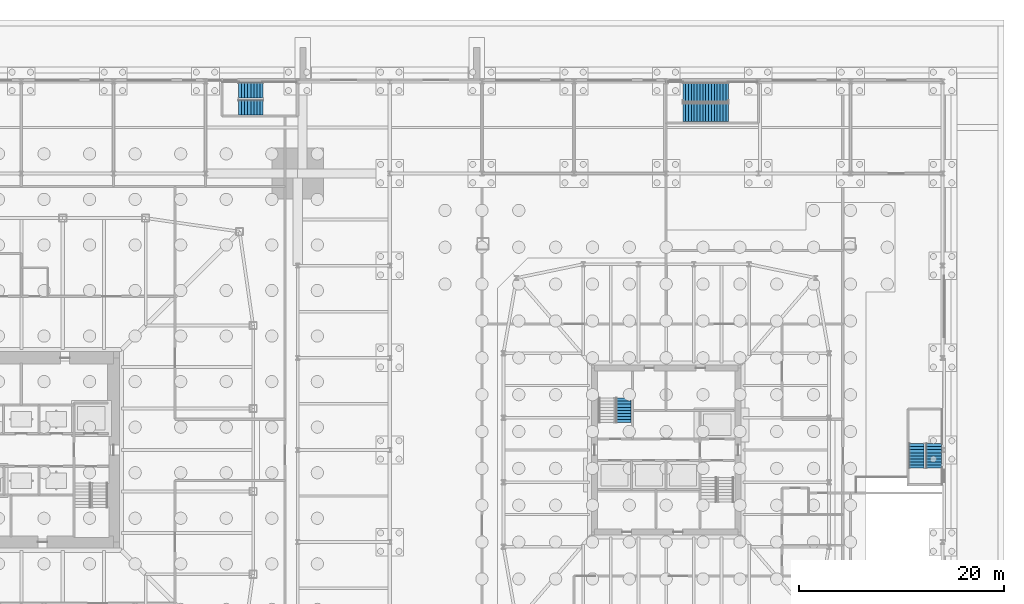
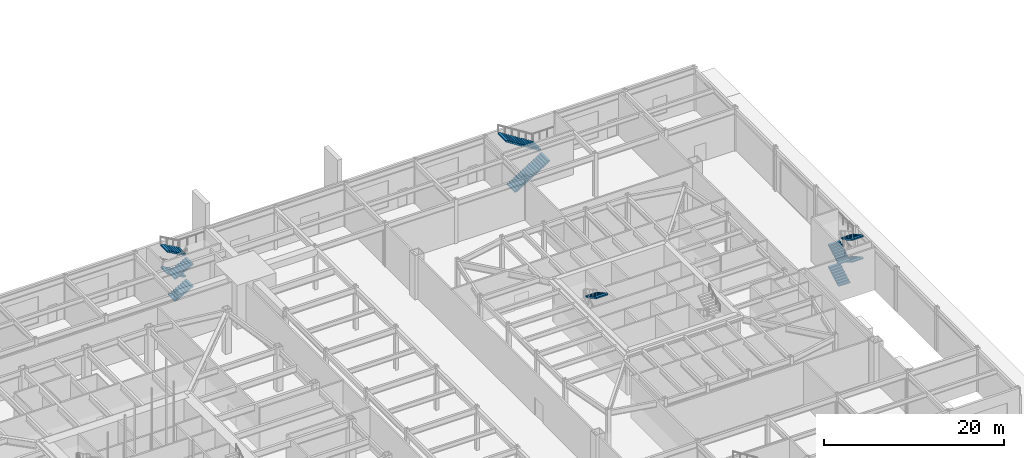
# One storey, part 22 of 37: 11 stair flights, 4 elements without a shape of their own.
"""IFC4 building model written with IfcOpenShell, lengths in metres."""

from ifc_helpers import new_model, si_unit, direction, frame, origin, place, context, subcontext, project, spatial, polyline, outline, extrude, material, constituent, constituent_set, type_object, element, aggregate, save


model = new_model("IFC4")

# Units and contexts
model_context = context("Model", 3, precision=1e-05, world=origin(), true_north=direction((0.0, 1.0)))
body_context = subcontext(model_context, "Body", "Model", "MODEL_VIEW")
ifc_project = project(units=[si_unit("LENGTHUNIT", "METRE"), si_unit("AREAUNIT", "SQUARE_METRE"), si_unit("VOLUMEUNIT", "CUBIC_METRE"), si_unit("PLANEANGLEUNIT", "RADIAN"), si_unit("MASSUNIT", "GRAM", prefix="KILO")], contexts=[model_context])

# Site, building, storey
site_placement = place(None, origin())
site = spatial("IfcSite", under=ifc_project, at=site_placement, CompositionType="ELEMENT")
building_placement = place(site_placement, origin())
building = spatial("IfcBuilding", under=site, at=building_placement, Name="Iwan Alto Co-Living Towers", CompositionType="ELEMENT")
storey_placement = place(building_placement, origin())
storey = spatial("IfcBuildingStorey", under=building, at=storey_placement, Name="L00", CompositionType="ELEMENT", Elevation=0.0)

# Stair, stair flights
ifc_material_1 = material(Name="Steel ASTM A36", Category="steel")
ifc_constituent_1 = constituent(ifc_material_1, Name="Stringers", Category="LoadBearing")
ifc_material_2 = material(Name="Concrete f'c 30 MPa", Category="concrete")
ifc_constituent_2 = constituent(ifc_material_2, Name="Tread fill", Category="Finish")
ifc_constituent_set_1 = constituent_set(constituents=[ifc_constituent_1, ifc_constituent_2], Name="STAIR 6000 TWO-FLIGHT PODIUM 1800 WIDE")
stair_type_1 = type_object("IfcStairType", Name="STAIR 6000 TWO-FLIGHT PODIUM 1800 WIDE", PredefinedType="HALF_TURN_STAIR", material=ifc_constituent_set_1)
stair_1_placement = place(storey_placement, origin())
stair_1 = element("IfcStair", 1, at=stair_1_placement, inside=storey, type_object=stair_type_1, Name="Stair PS5 L00 to L01", PredefinedType="HALF_TURN_STAIR")
ifc_constituent_3 = constituent(ifc_material_1, Name="Stringers", Category="LoadBearing")
ifc_constituent_4 = constituent(ifc_material_2, Name="Tread fill", Category="Finish")
ifc_constituent_set_2 = constituent_set(constituents=[ifc_constituent_3, ifc_constituent_4], Name="STAIR FLIGHT 17 RISERS 280 GOING 1800 WIDE")
stair_flight_type_1 = type_object("IfcStairFlightType", Name="STAIR FLIGHT 17 RISERS 280 GOING 1800 WIDE", PredefinedType="STRAIGHT", material=ifc_constituent_set_2)
stair_flight_1_placement = place(storey_placement, frame((64.6201171875, 32.97998046875, 0.0), z_axis=(0.0, 0.0, 1.0), x_axis=(1.0, 0.0, 0.0)))
stair_flight_1 = element("IfcStairFlight", 2, at=stair_flight_1_placement, type_object=stair_flight_type_1, Name="PS5 flight 1", NumberOfRisers=17, NumberOfTreads=16, PredefinedType="STRAIGHT", RiserHeight=0.176471, TreadLength=0.28, context=body_context, shape_type="SweptSolid", body=[
    extrude(outline(polyline([(0.0, 0.0), (0.0, 0.176513671875), (0.280029296875, 0.176513671875), (0.280029296875, 0.35302734375), (0.56005859375, 0.35302734375), (0.56005859375, 0.529296875), (0.840087890625, 0.529296875), (0.840087890625, 0.705810546875), (1.1201171875, 0.705810546875), (1.1201171875, 0.88232421875), (1.39990234375, 0.88232421875), (1.39990234375, 1.058837890625), (1.679931640625, 1.058837890625), (1.679931640625, 1.2353515625), (1.9599609375, 1.2353515625), (1.9599609375, 1.411865234375), (2.239990234375, 1.411865234375), (2.239990234375, 1.588134765625), (2.52001953125, 1.588134765625), (2.52001953125, 1.7646484375), (2.800048828125, 1.7646484375), (2.800048828125, 1.941162109375), (3.080078125, 1.941162109375), (3.080078125, 2.11767578125), (3.360107421875, 2.11767578125), (3.360107421875, 2.294189453125), (3.639892578125, 2.294189453125), (3.639892578125, 2.470703125), (3.919921875, 2.470703125), (3.919921875, 2.64697265625), (4.199951171875, 2.64697265625), (4.199951171875, 2.823486328125), (4.47998046875, 2.823486328125), (4.47998046875, 3.0), (4.47998046875, 2.646240234375), (0.28125, 0.0), (0.0, 0.0)])), frame((0.0, 0.89990234375, 0.0), z_axis=(0.0, -1.0, 0.0), x_axis=(1.0, 0.0, 0.0)), (0.0, 0.0, 1.0), 1.800048828125),
])
stair_flight_2_placement = place(storey_placement, frame((69.10009765625, 34.97998046875, 3.0), z_axis=(0.0, 0.0, 1.0), x_axis=(-1.0, 0.0, 0.0)))
stair_flight_2 = element("IfcStairFlight", 3, at=stair_flight_2_placement, type_object=stair_flight_type_1, Name="PS5 flight 2", NumberOfRisers=17, NumberOfTreads=16, PredefinedType="STRAIGHT", RiserHeight=0.176471, TreadLength=0.28, context=body_context, shape_type="SweptSolid", body=[
    extrude(outline(polyline([(0.0, 0.0), (0.0, 0.176513671875), (0.280029296875, 0.176513671875), (0.280029296875, 0.35302734375), (0.56005859375, 0.35302734375), (0.56005859375, 0.529296875), (0.840087890625, 0.529296875), (0.840087890625, 0.705810546875), (1.1201171875, 0.705810546875), (1.1201171875, 0.88232421875), (1.39990234375, 0.88232421875), (1.39990234375, 1.058837890625), (1.679931640625, 1.058837890625), (1.679931640625, 1.2353515625), (1.9599609375, 1.2353515625), (1.9599609375, 1.411865234375), (2.239990234375, 1.411865234375), (2.239990234375, 1.588134765625), (2.52001953125, 1.588134765625), (2.52001953125, 1.7646484375), (2.800048828125, 1.7646484375), (2.800048828125, 1.941162109375), (3.080078125, 1.941162109375), (3.080078125, 2.11767578125), (3.360107421875, 2.11767578125), (3.360107421875, 2.294189453125), (3.639892578125, 2.294189453125), (3.639892578125, 2.470703125), (3.919921875, 2.470703125), (3.919921875, 2.64697265625), (4.199951171875, 2.64697265625), (4.199951171875, 2.823486328125), (4.47998046875, 2.823486328125), (4.47998046875, 3.0), (4.47998046875, 2.646240234375), (0.28125, 0.0), (0.0, 0.0)])), frame((0.0, 0.89990234375, 0.0), z_axis=(0.0, -1.0, 0.0), x_axis=(1.0, 0.0, 0.0)), (0.0, 0.0, 1.0), 1.800048828125),
])
aggregate(stair_1, [stair_flight_1, stair_flight_2])

ifc_constituent_5 = constituent(ifc_material_1, Name="Stringers", Category="LoadBearing")
ifc_constituent_6 = constituent(ifc_material_2, Name="Tread fill", Category="Finish")
ifc_constituent_set_3 = constituent_set(constituents=[ifc_constituent_5, ifc_constituent_6], Name="STAIR 6000 FOUR-FLIGHT PODIUM")
stair_type_2 = type_object("IfcStairType", Name="STAIR 6000 FOUR-FLIGHT PODIUM", PredefinedType="HALF_TURN_STAIR", material=ifc_constituent_set_3)
stair_2_placement = place(storey_placement, origin())
stair_2 = element("IfcStair", 4, at=stair_2_placement, inside=storey, type_object=stair_type_2, Name="Stair PS2 L00 to L01", PredefinedType="HALF_TURN_STAIR")
ifc_constituent_7 = constituent(ifc_material_1, Name="Stringers", Category="LoadBearing")
ifc_constituent_8 = constituent(ifc_material_2, Name="Tread fill", Category="Finish")
ifc_constituent_set_4 = constituent_set(constituents=[ifc_constituent_7, ifc_constituent_8], Name="STAIR FLIGHT 9 RISERS 300 GOING")
stair_flight_type_2 = type_object("IfcStairFlightType", Name="STAIR FLIGHT 9 RISERS 300 GOING", PredefinedType="STRAIGHT", material=ifc_constituent_set_4)
stair_flight_3_placement = place(storey_placement, frame((87.4599609375, -1.780029296875, 0.0), z_axis=(0.0, 0.0, 1.0), x_axis=(0.0, 1.0, 0.0)))
stair_flight_3 = element("IfcStairFlight", 5, at=stair_flight_3_placement, type_object=stair_flight_type_2, Name="PS2 flight 1", NumberOfRisers=9, NumberOfTreads=8, PredefinedType="STRAIGHT", RiserHeight=0.166667, TreadLength=0.3, context=body_context, shape_type="SweptSolid", body=[
    extrude(outline(polyline([(0.0, 0.0), (0.0, 0.166748046875), (0.300048828125, 0.166748046875), (0.300048828125, 0.333251953125), (0.60009765625, 0.333251953125), (0.60009765625, 0.5), (0.89990234375, 0.5), (0.89990234375, 0.666748046875), (1.199951171875, 0.666748046875), (1.199951171875, 0.833251953125), (1.5, 0.833251953125), (1.5, 1.0), (1.800048828125, 1.0), (1.800048828125, 1.166748046875), (2.10009765625, 1.166748046875), (2.10009765625, 1.333251953125), (2.39990234375, 1.333251953125), (2.39990234375, 1.5), (2.39990234375, 1.161865234375), (0.30859375, 0.0), (0.0, 0.0)])), frame((0.0, 0.739990234375, 0.0), z_axis=(0.0, -1.0, 0.0), x_axis=(1.0, 0.0, 0.0)), (0.0, 0.0, 1.0), 1.47998046875),
])
stair_flight_4_placement = place(storey_placement, frame((89.139892578125, 0.6201171875, 1.5), z_axis=(0.0, 0.0, 1.0), x_axis=(0.0, -1.0, 0.0)))
stair_flight_4 = element("IfcStairFlight", 6, at=stair_flight_4_placement, type_object=stair_flight_type_2, Name="PS2 flight 2", NumberOfRisers=9, NumberOfTreads=8, PredefinedType="STRAIGHT", RiserHeight=0.166667, TreadLength=0.3, context=body_context, shape_type="SweptSolid", body=[
    extrude(outline(polyline([(0.0, 0.0), (0.0, 0.166748046875), (0.300048828125, 0.166748046875), (0.300048828125, 0.333251953125), (0.60009765625, 0.333251953125), (0.60009765625, 0.5), (0.89990234375, 0.5), (0.89990234375, 0.666748046875), (1.199951171875, 0.666748046875), (1.199951171875, 0.833251953125), (1.5, 0.833251953125), (1.5, 1.0), (1.800048828125, 1.0), (1.800048828125, 1.166748046875), (2.10009765625, 1.166748046875), (2.10009765625, 1.333251953125), (2.39990234375, 1.333251953125), (2.39990234375, 1.5), (2.39990234375, 1.161865234375), (0.30859375, 0.0), (0.0, 0.0)])), frame((0.0, 0.739990234375, 0.0), z_axis=(0.0, -1.0, 0.0), x_axis=(1.0, 0.0, 0.0)), (0.0, 0.0, 1.0), 1.47998046875),
])
stair_flight_5_placement = place(storey_placement, frame((87.4599609375, -1.780029296875, 3.0), z_axis=(0.0, 0.0, 1.0), x_axis=(0.0, 1.0, 0.0)))
stair_flight_5 = element("IfcStairFlight", 7, at=stair_flight_5_placement, type_object=stair_flight_type_2, Name="PS2 flight 3", NumberOfRisers=9, NumberOfTreads=8, PredefinedType="STRAIGHT", RiserHeight=0.166667, TreadLength=0.3, context=body_context, shape_type="SweptSolid", body=[
    extrude(outline(polyline([(0.0, 0.0), (0.0, 0.166748046875), (0.300048828125, 0.166748046875), (0.300048828125, 0.333251953125), (0.60009765625, 0.333251953125), (0.60009765625, 0.5), (0.89990234375, 0.5), (0.89990234375, 0.666748046875), (1.199951171875, 0.666748046875), (1.199951171875, 0.833251953125), (1.5, 0.833251953125), (1.5, 1.0), (1.800048828125, 1.0), (1.800048828125, 1.166748046875), (2.10009765625, 1.166748046875), (2.10009765625, 1.333251953125), (2.39990234375, 1.333251953125), (2.39990234375, 1.5), (2.39990234375, 1.161865234375), (0.30859375, 0.0), (0.0, 0.0)])), frame((0.0, 0.739990234375, 0.0), z_axis=(0.0, -1.0, 0.0), x_axis=(1.0, 0.0, 0.0)), (0.0, 0.0, 1.0), 1.47998046875),
])
stair_flight_6_placement = place(storey_placement, frame((89.139892578125, 0.6201171875, 4.5), z_axis=(0.0, 0.0, 1.0), x_axis=(0.0, -1.0, 0.0)))
stair_flight_6 = element("IfcStairFlight", 8, at=stair_flight_6_placement, type_object=stair_flight_type_2, Name="PS2 flight 4", NumberOfRisers=9, NumberOfTreads=8, PredefinedType="STRAIGHT", RiserHeight=0.166667, TreadLength=0.3, context=body_context, shape_type="SweptSolid", body=[
    extrude(outline(polyline([(0.0, 0.0), (0.0, 0.166748046875), (0.300048828125, 0.166748046875), (0.300048828125, 0.333251953125), (0.60009765625, 0.333251953125), (0.60009765625, 0.5), (0.89990234375, 0.5), (0.89990234375, 0.666748046875), (1.199951171875, 0.666748046875), (1.199951171875, 0.833251953125), (1.5, 0.833251953125), (1.5, 1.0), (1.800048828125, 1.0), (1.800048828125, 1.166748046875), (2.10009765625, 1.166748046875), (2.10009765625, 1.333251953125), (2.39990234375, 1.333251953125), (2.39990234375, 1.5), (2.39990234375, 1.161865234375), (0.30859375, 0.0), (0.0, 0.0)])), frame((0.0, 0.739990234375, 0.0), z_axis=(0.0, -1.0, 0.0), x_axis=(1.0, 0.0, 0.0)), (0.0, 0.0, 1.0), 1.47998046875),
])
aggregate(stair_2, [stair_flight_3, stair_flight_4, stair_flight_5, stair_flight_6])

stair_3_placement = place(storey_placement, origin())
stair_3 = element("IfcStair", 9, at=stair_3_placement, inside=storey, type_object=stair_type_2, Name="Stair PS3 L00 to L01", PredefinedType="HALF_TURN_STAIR")
stair_flight_7_placement = place(storey_placement, frame((21.219970703125, 33.4599609375, 0.0), z_axis=(0.0, 0.0, 1.0), x_axis=(1.0, 0.0, 0.0)))
stair_flight_7 = element("IfcStairFlight", 10, at=stair_flight_7_placement, type_object=stair_flight_type_2, Name="PS3 flight 1", NumberOfRisers=9, NumberOfTreads=8, PredefinedType="STRAIGHT", RiserHeight=0.166667, TreadLength=0.3, context=body_context, shape_type="SweptSolid", body=[
    extrude(outline(polyline([(0.0, 0.0), (0.0, 0.166748046875), (0.300048828125, 0.166748046875), (0.300048828125, 0.333251953125), (0.60009765625, 0.333251953125), (0.60009765625, 0.5), (0.89990234375, 0.5), (0.89990234375, 0.666748046875), (1.199951171875, 0.666748046875), (1.199951171875, 0.833251953125), (1.5, 0.833251953125), (1.5, 1.0), (1.800048828125, 1.0), (1.800048828125, 1.166748046875), (2.10009765625, 1.166748046875), (2.10009765625, 1.333251953125), (2.39990234375, 1.333251953125), (2.39990234375, 1.5), (2.39990234375, 1.161865234375), (0.30859375, 0.0), (0.0, 0.0)])), frame((0.0, 0.739990234375, 0.0), z_axis=(0.0, -1.0, 0.0), x_axis=(1.0, 0.0, 0.0)), (0.0, 0.0, 1.0), 1.47998046875),
])
stair_flight_8_placement = place(storey_placement, frame((23.6201171875, 35.139892578125, 1.5), z_axis=(0.0, 0.0, 1.0), x_axis=(-1.0, 0.0, 0.0)))
stair_flight_8 = element("IfcStairFlight", 11, at=stair_flight_8_placement, type_object=stair_flight_type_2, Name="PS3 flight 2", NumberOfRisers=9, NumberOfTreads=8, PredefinedType="STRAIGHT", RiserHeight=0.166667, TreadLength=0.3, context=body_context, shape_type="SweptSolid", body=[
    extrude(outline(polyline([(0.0, 0.0), (0.0, 0.166748046875), (0.300048828125, 0.166748046875), (0.300048828125, 0.333251953125), (0.60009765625, 0.333251953125), (0.60009765625, 0.5), (0.89990234375, 0.5), (0.89990234375, 0.666748046875), (1.199951171875, 0.666748046875), (1.199951171875, 0.833251953125), (1.5, 0.833251953125), (1.5, 1.0), (1.800048828125, 1.0), (1.800048828125, 1.166748046875), (2.10009765625, 1.166748046875), (2.10009765625, 1.333251953125), (2.39990234375, 1.333251953125), (2.39990234375, 1.5), (2.39990234375, 1.161865234375), (0.30859375, 0.0), (0.0, 0.0)])), frame((0.0, 0.739990234375, 0.0), z_axis=(0.0, -1.0, 0.0), x_axis=(1.0, 0.0, 0.0)), (0.0, 0.0, 1.0), 1.47998046875),
])
stair_flight_9_placement = place(storey_placement, frame((21.219970703125, 33.4599609375, 3.0), z_axis=(0.0, 0.0, 1.0), x_axis=(1.0, 0.0, 0.0)))
stair_flight_9 = element("IfcStairFlight", 12, at=stair_flight_9_placement, type_object=stair_flight_type_2, Name="PS3 flight 3", NumberOfRisers=9, NumberOfTreads=8, PredefinedType="STRAIGHT", RiserHeight=0.166667, TreadLength=0.3, context=body_context, shape_type="SweptSolid", body=[
    extrude(outline(polyline([(0.0, 0.0), (0.0, 0.166748046875), (0.300048828125, 0.166748046875), (0.300048828125, 0.333251953125), (0.60009765625, 0.333251953125), (0.60009765625, 0.5), (0.89990234375, 0.5), (0.89990234375, 0.666748046875), (1.199951171875, 0.666748046875), (1.199951171875, 0.833251953125), (1.5, 0.833251953125), (1.5, 1.0), (1.800048828125, 1.0), (1.800048828125, 1.166748046875), (2.10009765625, 1.166748046875), (2.10009765625, 1.333251953125), (2.39990234375, 1.333251953125), (2.39990234375, 1.5), (2.39990234375, 1.161865234375), (0.30859375, 0.0), (0.0, 0.0)])), frame((0.0, 0.739990234375, 0.0), z_axis=(0.0, -1.0, 0.0), x_axis=(1.0, 0.0, 0.0)), (0.0, 0.0, 1.0), 1.47998046875),
])
stair_flight_10_placement = place(storey_placement, frame((23.6201171875, 35.139892578125, 4.5), z_axis=(0.0, 0.0, 1.0), x_axis=(-1.0, 0.0, 0.0)))
stair_flight_10 = element("IfcStairFlight", 13, at=stair_flight_10_placement, type_object=stair_flight_type_2, Name="PS3 flight 4", NumberOfRisers=9, NumberOfTreads=8, PredefinedType="STRAIGHT", RiserHeight=0.166667, TreadLength=0.3, context=body_context, shape_type="SweptSolid", body=[
    extrude(outline(polyline([(0.0, 0.0), (0.0, 0.166748046875), (0.300048828125, 0.166748046875), (0.300048828125, 0.333251953125), (0.60009765625, 0.333251953125), (0.60009765625, 0.5), (0.89990234375, 0.5), (0.89990234375, 0.666748046875), (1.199951171875, 0.666748046875), (1.199951171875, 0.833251953125), (1.5, 0.833251953125), (1.5, 1.0), (1.800048828125, 1.0), (1.800048828125, 1.166748046875), (2.10009765625, 1.166748046875), (2.10009765625, 1.333251953125), (2.39990234375, 1.333251953125), (2.39990234375, 1.5), (2.39990234375, 1.161865234375), (0.30859375, 0.0), (0.0, 0.0)])), frame((0.0, 0.739990234375, 0.0), z_axis=(0.0, -1.0, 0.0), x_axis=(1.0, 0.0, 0.0)), (0.0, 0.0, 1.0), 1.47998046875),
])
aggregate(stair_3, [stair_flight_7, stair_flight_8, stair_flight_9, stair_flight_10])

# Stair, stair flight
ifc_constituent_9 = constituent(ifc_material_1, Name="Stringers", Category="LoadBearing")
ifc_constituent_10 = constituent(ifc_material_2, Name="Tread fill", Category="Finish")
ifc_constituent_set_5 = constituent_set(constituents=[ifc_constituent_9, ifc_constituent_10], Name="STAIR 6000 FOUR-FLIGHT T2 CORE")
stair_type_3 = type_object("IfcStairType", Name="STAIR 6000 FOUR-FLIGHT T2 CORE", PredefinedType="HALF_TURN_STAIR", material=ifc_constituent_set_5)
stair_4_placement = place(storey_placement, origin())
stair_4 = element("IfcStair", 14, at=stair_4_placement, inside=storey, type_object=stair_type_3, Name="Stair T2-S1 L00 to L01", PredefinedType="HALF_TURN_STAIR")
stair_flight_11_placement = place(storey_placement, frame((58.840087890625, 5.070068359375, 4.5), z_axis=(0.0, 0.0, 1.0), x_axis=(0.0, -1.0, 0.0)))
stair_flight_11 = element("IfcStairFlight", 15, at=stair_flight_11_placement, type_object=stair_flight_type_2, Name="T2-S1 flight 4", NumberOfRisers=9, NumberOfTreads=8, PredefinedType="STRAIGHT", RiserHeight=0.166667, TreadLength=0.3, context=body_context, shape_type="SweptSolid", body=[
    extrude(outline(polyline([(0.0, 0.0), (0.0, 0.166748046875), (0.300048828125, 0.166748046875), (0.300048828125, 0.333251953125), (0.60009765625, 0.333251953125), (0.60009765625, 0.5), (0.89990234375, 0.5), (0.89990234375, 0.666748046875), (1.199951171875, 0.666748046875), (1.199951171875, 0.833251953125), (1.5, 0.833251953125), (1.5, 1.0), (1.800048828125, 1.0), (1.800048828125, 1.166748046875), (2.10009765625, 1.166748046875), (2.10009765625, 1.333251953125), (2.39990234375, 1.333251953125), (2.39990234375, 1.5), (2.39990234375, 1.161865234375), (0.30859375, 0.0), (0.0, 0.0)])), frame((0.0, 0.739990234375, 0.0), z_axis=(0.0, -1.0, 0.0), x_axis=(1.0, 0.0, 0.0)), (0.0, 0.0, 1.0), 1.47998046875),
])
aggregate(stair_4, [stair_flight_11])

save(model, "model.ifc")
